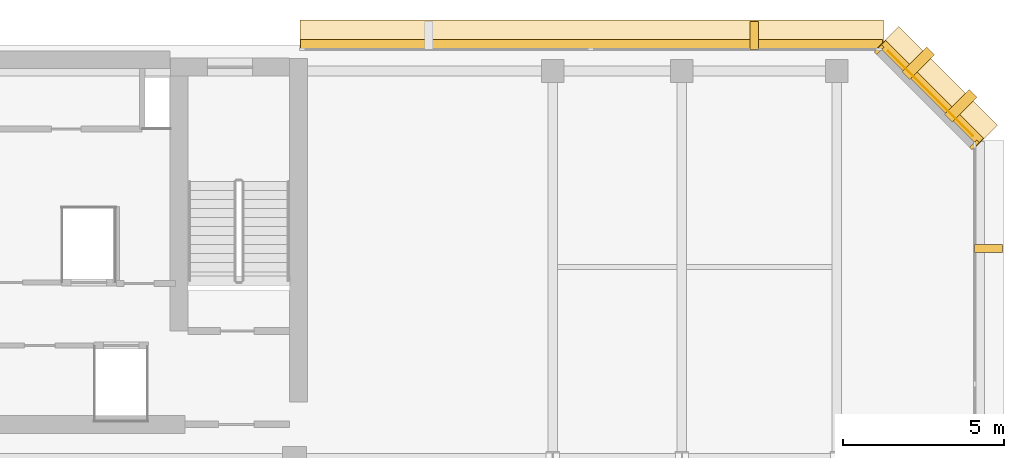
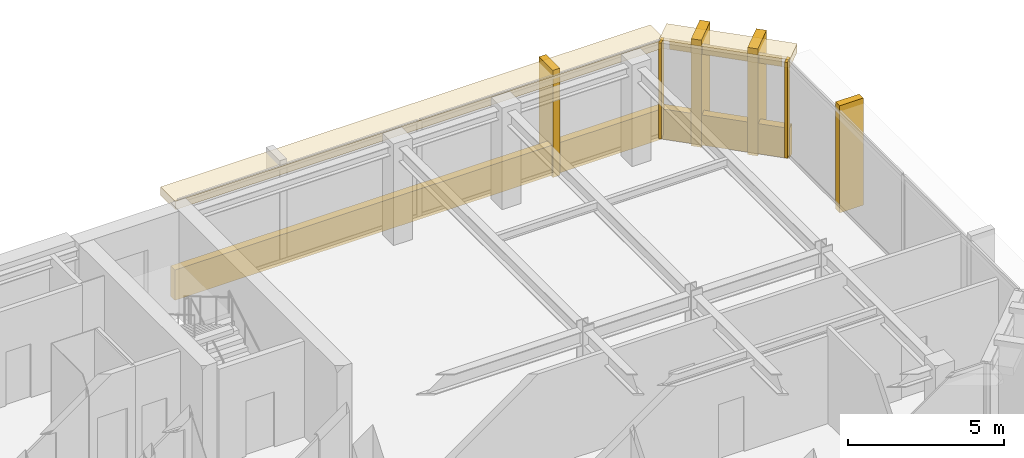
# One storey, part 11 of 11: 11 coverings.
"""IFC4 building model written with IfcOpenShell, lengths in metres."""

from ifc_helpers import new_model, si_unit, direction, frame, origin, origin_2d, place, context, subcontext, project, spatial, rectangle, extrude, material, layer, layer_set, type_object, element, save


model = new_model("IFC4")

# Units and contexts
model_context = context("Model", 3, precision=1e-05, world=origin(), true_north=direction((0.0, 1.0)))
body_context = subcontext(model_context, "Body", "Model", "MODEL_VIEW")
ifc_project = project(units=[si_unit("LENGTHUNIT", "METRE"), si_unit("AREAUNIT", "SQUARE_METRE"), si_unit("VOLUMEUNIT", "CUBIC_METRE"), si_unit("PLANEANGLEUNIT", "RADIAN"), si_unit("MASSUNIT", "GRAM", prefix="KILO")], contexts=[model_context])

# Site, building, storey
site_placement = place(None, origin())
site = spatial("IfcSite", under=ifc_project, at=site_placement, CompositionType="ELEMENT")
building_placement = place(site_placement, origin())
building = spatial("IfcBuilding", under=site, at=building_placement, Name="Kefirva Bronze Tower", CompositionType="ELEMENT")
storey_placement = place(building_placement, frame((0.0, 0.0, 331.64990234375)))
storey = spatial("IfcBuildingStorey", under=building, at=storey_placement, Name="L81", CompositionType="ELEMENT", Elevation=331.64990234375)

# Coverings
ifc_material = material(Name="Bronze anodised aluminium", Category="aluminium")
ifc_layer_1 = layer(ifc_material, 0.02001953125, Name="Bronze anodised aluminium")
ifc_layer_set_1 = layer_set([ifc_layer_1], Name="Bronze anodised aluminium")
covering_type_1 = type_object("IfcCoveringType", Name="Anodised Bronze Spandrel Cladding 20mm", PredefinedType="CLADDING", material=ifc_layer_set_1)
covering_1_placement = place(storey_placement, frame((42.906982421875, 44.507080078125, 3.320068359375), z_axis=(0.0, 0.0, 1.0), x_axis=(-0.707106781187, 0.707106781187, 0.0)))
element("IfcCovering", 1, at=covering_1_placement, inside=storey, type_object=covering_type_1, Name="L81 Bronze Spandrel Cladding 5", PredefinedType="CLADDING", context=body_context, shape_type="SweptSolid", body=[
    extrude(rectangle(XDim=3.719482421875, YDim=0.02001953125, at=origin_2d()), origin(), (0.0, 0.0, 1.0), 0.39990234375),
])
for number, where, z_axis, x_axis, name in (
    (2, (44.26220703125, 42.91162109375, 0.0), (0.0, 0.0, 1.0), (-0.707106781187, 0.707106781187, 0.0), "L81 Facade Joint Closure Panel 5S"),
    (3, (41.311767578125, 45.862060546875, 0.0), (0.0, 0.0, 1.0), (-0.707106781187, 0.707106781187, 0.0), "L81 Facade Joint Closure Panel 5E"),
):
    element("IfcCovering", number, at=place(storey_placement, frame(where, z_axis=z_axis, x_axis=x_axis)), inside=storey, type_object=covering_type_1, Name=name, PredefinedType="CLADDING", context=body_context, shape_type="SweptSolid", body=[
        extrude(rectangle(XDim=0.10009765625, YDim=0.320068359375, at=origin_2d()), origin(), (0.0, 0.0, 1.0), 3.739990234375),
    ])
covering_2_placement = place(storey_placement, frame((42.92822265625, 44.5283203125, -0.15966796875), z_axis=(0.0, 0.0, 1.0), x_axis=(-0.707106781187, 0.707106781187, 0.0)))
element("IfcCovering", 4, at=covering_2_placement, inside=storey, type_object=covering_type_1, Name="L81 Streamline Horizontal Spandrel Band 7", PredefinedType="CLADDING", context=body_context, shape_type="SweptSolid", body=[
    extrude(rectangle(XDim=4.28271484375, YDim=0.280029296875, at=origin_2d()), origin(), (0.0, 0.0, 1.0), 1.179931640625),
])
covering_3_placement = place(storey_placement, frame((32.402587890625, 46.0400390625, -0.15966796875), z_axis=(0.0, 0.0, 1.0), x_axis=(-1.0, 0.0, 0.0)))
element("IfcCovering", 5, at=covering_3_placement, inside=storey, type_object=covering_type_1, Name="L81 Streamline Horizontal Spandrel Band 8", PredefinedType="CLADDING", context=body_context, shape_type="SweptSolid", body=[
    extrude(rectangle(XDim=18.034912109375, YDim=0.280029296875, at=origin_2d()), origin(), (0.0, 0.0, 1.0), 1.179931640625),
])
ifc_layer_2 = layer(ifc_material, 0.179931640625, Name="Bronze anodised aluminium")
ifc_layer_set_2 = layer_set([ifc_layer_2], Name="Bronze anodised aluminium")
covering_type_2 = type_object("IfcCoveringType", Name="Streamline Bronze Sunshade Eyebrow Cladding 180mm", PredefinedType="CLADDING", material=ifc_layer_set_2)
covering_4_placement = place(storey_placement, frame((43.119140625, 44.71923828125, 3.419921875), z_axis=(0.0, 0.0, 1.0), x_axis=(-0.707106781187, 0.707106781187, 0.0)))
element("IfcCovering", 6, at=covering_4_placement, inside=storey, type_object=covering_type_2, Name="L81 Streamline Bronze Sunshade Eyebrow 7", PredefinedType="CLADDING", context=body_context, shape_type="SweptSolid", body=[
    extrude(rectangle(XDim=4.322509765625, YDim=0.93994140625, at=origin_2d()), origin(), (0.0, 0.0, 1.0), 0.320068359375),
])
covering_5_placement = place(storey_placement, frame((32.402587890625, 46.31005859375, 3.419921875), z_axis=(0.0, 0.0, 1.0), x_axis=(-1.0, 0.0, 0.0)))
element("IfcCovering", 7, at=covering_5_placement, inside=storey, type_object=covering_type_2, Name="L81 Streamline Bronze Sunshade Eyebrow 8", PredefinedType="CLADDING", context=body_context, shape_type="SweptSolid", body=[
    extrude(rectangle(XDim=18.074951171875, YDim=0.93994140625, at=origin_2d()), origin(), (0.0, 0.0, 1.0), 0.320068359375),
])
ifc_layer_3 = layer(ifc_material, 0.260009765625, Name="Bronze anodised aluminium")
ifc_layer_set_3 = layer_set([ifc_layer_3], Name="Bronze anodised aluminium")
covering_type_3 = type_object("IfcCoveringType", Name="Unbroken Bronze Buttress Fin Cladding 260mm", PredefinedType="CLADDING", material=ifc_layer_set_3)
covering_6_placement = place(storey_placement, frame((44.699951171875, 39.699951171875, -0.2197265625), z_axis=(0.0, 0.0, 1.0), x_axis=(0.0, 1.0, 0.0)))
element("IfcCovering", 8, at=covering_6_placement, inside=storey, type_object=covering_type_3, Name="L81 Unbroken Vertical Bronze Rib Fin 14", PredefinedType="CLADDING", context=body_context, shape_type="SweptSolid", body=[
    extrude(rectangle(XDim=0.260009765625, YDim=0.8798828125, at=origin_2d()), origin(), (0.0, 0.0, 1.0), 4.179931640625),
])
for number, where, z_axis, x_axis, name in (
    (9, (43.8427734375, 44.122802734375, -0.2197265625), (0.0, 0.0, 1.0), (-0.707106781187, 0.707106781187, 0.0), "L81 Chamfered Corner Buttress Fin Cladding 15"),
    (10, (42.522705078125, 45.44287109375, -0.2197265625), (0.0, 0.0, 1.0), (-0.707106781187, 0.707106781187, 0.0), "L81 Chamfered Corner Buttress Fin Cladding 16"),
):
    element("IfcCovering", number, at=place(storey_placement, frame(where, z_axis=z_axis, x_axis=x_axis)), inside=storey, type_object=covering_type_3, Name=name, PredefinedType="CLADDING", context=body_context, shape_type="SweptSolid", body=[
        extrude(rectangle(XDim=0.340087890625, YDim=1.080078125, at=origin_2d()), origin(), (0.0, 0.0, 1.0), 4.179931640625),
    ])
covering_7_placement = place(storey_placement, frame((37.441162109375, 46.300048828125, -0.2197265625), z_axis=(0.0, 0.0, 1.0), x_axis=(-1.0, 0.0, 0.0)))
element("IfcCovering", 11, at=covering_7_placement, inside=storey, type_object=covering_type_3, Name="L81 Unbroken Vertical Bronze Rib Fin 17", PredefinedType="CLADDING", context=body_context, shape_type="SweptSolid", body=[
    extrude(rectangle(XDim=0.260009765625, YDim=0.8798828125, at=origin_2d()), origin(), (0.0, 0.0, 1.0), 4.179931640625),
])

save(model, "model.ifc")
